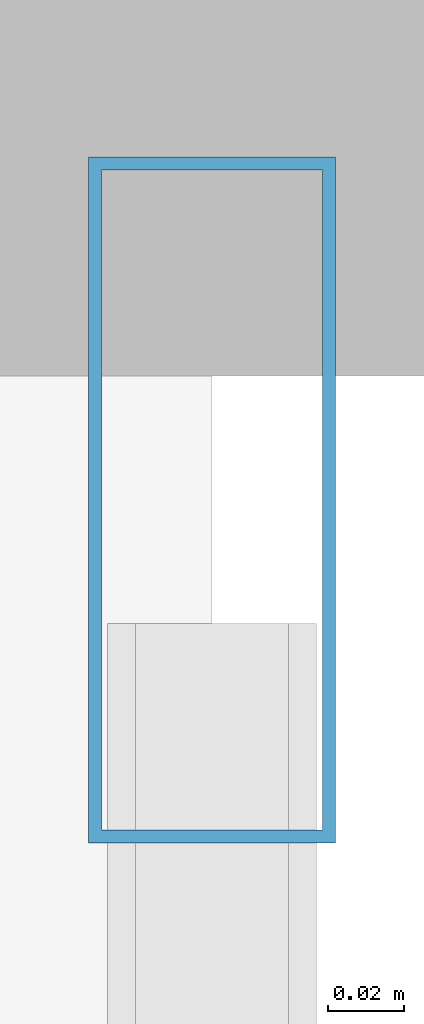
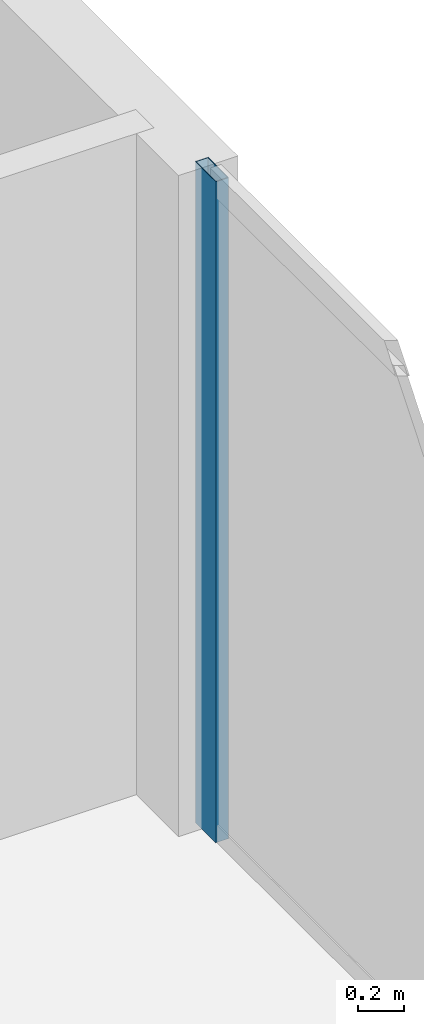
# One storey, part 21 of 32: 1 member, 1 element without a shape of its own.
"""IFC4 building model written with IfcOpenShell, lengths in metres."""

from ifc_helpers import new_model, si_unit, direction, frame, origin, origin_2d, place, context, subcontext, project, spatial, hollow_rectangle, extrude, material, layer, layer_set, material_profile, profile_set, type_object, element, aggregate, save


model = new_model("IFC4")

# Units and contexts
model_context = context("Model", 3, precision=1e-05, world=origin(), true_north=direction((0.0, 1.0)))
body_context = subcontext(model_context, "Body", "Model", "MODEL_VIEW")
ifc_project = project(units=[si_unit("LENGTHUNIT", "METRE"), si_unit("AREAUNIT", "SQUARE_METRE"), si_unit("VOLUMEUNIT", "CUBIC_METRE"), si_unit("PLANEANGLEUNIT", "RADIAN"), si_unit("MASSUNIT", "GRAM", prefix="KILO")], contexts=[model_context])

# Site, building, storey
site_placement = place(None, origin())
site = spatial("IfcSite", under=ifc_project, at=site_placement, CompositionType="ELEMENT")
building_placement = place(site_placement, origin())
building = spatial("IfcBuilding", under=site, at=building_placement, Name="Zuhayl Quay Hotel", CompositionType="ELEMENT")
storey_placement = place(building_placement, frame((0.0, 0.0, 196.14990234375)))
storey = spatial("IfcBuildingStorey", under=building, at=storey_placement, Name="L49", CompositionType="ELEMENT", Elevation=196.14990234375)

# Curtain wall, member
ifc_material_1 = material(Name="Anodised Aluminium 6063-T6", Category="aluminium")
ifc_layer = layer(ifc_material_1, 0.175048828125, Name="Anodised Aluminium 6063-T6", Category="aluminium")
ifc_layer_set = layer_set([ifc_layer], Name="Anodised Aluminium 6063-T6")
curtain_wall_type = type_object("IfcCurtainWallType", Name="CW_SYS_Z3", PredefinedType="USERDEFINED", material=ifc_layer_set)
curtain_wall_placement = place(storey_placement, origin())
curtain_wall = element("IfcCurtainWall", 1, at=curtain_wall_placement, inside=storey, type_object=curtain_wall_type, Name="L49 Curtain Wall ENV_L49_E11_CW1", ObjectType="UNITISED CURTAIN WALL", PredefinedType="USERDEFINED")
ifc_material_2 = material(Name="Black-anodised aluminium 6063-T6", Category="aluminium")
ifc_material_profile = material_profile(ifc_material_2, hollow_rectangle(XDim=0.06494140625, YDim=0.179931640625, WallThickness=0.00341796875, at=origin_2d()), Name="ALU180X65")
ifc_profile_set = profile_set([ifc_material_profile], Name="Black-anodised aluminium 6063-T6")
member_type = type_object("IfcMemberType", Name="MB_CW_MUL_180", PredefinedType="MULLION", material=ifc_profile_set)
member_placement = place(storey_placement, frame((22.10009765625, 26.367431640625, 0.0), z_axis=(0.0, 0.0, 1.0), x_axis=(1.0, 0.0, 0.0)))
member = element("IfcMember", 2, at=member_placement, type_object=member_type, Name="CW-Z3 mullion 1", PredefinedType="MULLION", context=body_context, shape_type="SweptSolid", body=[
    extrude(hollow_rectangle(XDim=0.06494140625, YDim=0.179931640625, WallThickness=0.00341796875, at=origin_2d()), origin(), (0.0, 0.0, 1.0), 3.530029296875),
])
aggregate(curtain_wall, [member])

save(model, "model.ifc")
